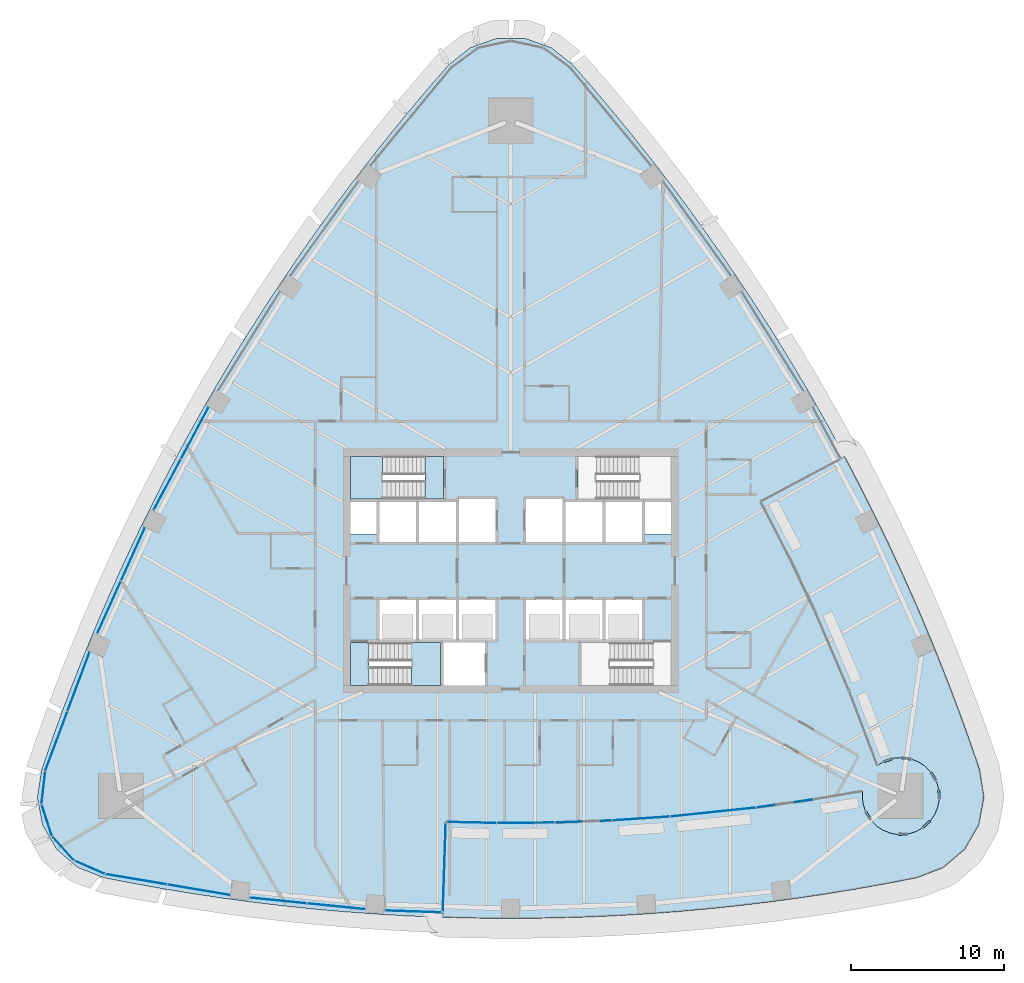
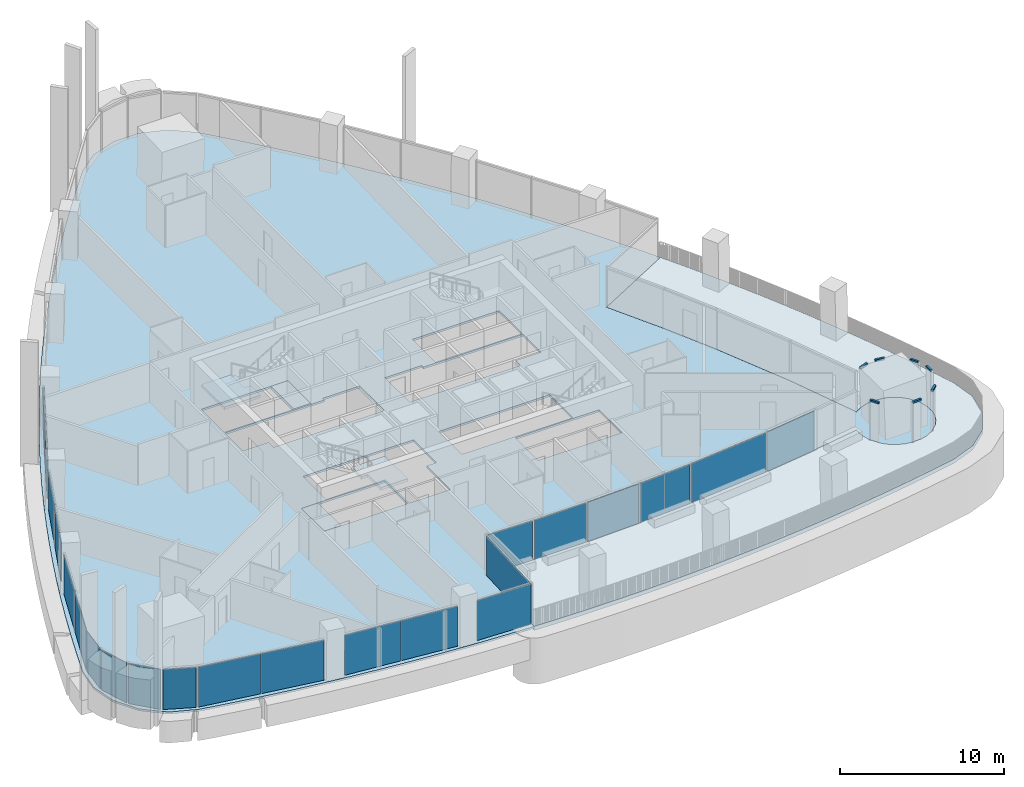
# One storey, part 8 of 22: 22 plates, 7 members, 6 slabs, 26 elements without a shape of their own.
"""IFC4 building model written with IfcOpenShell, lengths in metres."""

from ifc_helpers import new_model, si_unit, direction, frame, origin, origin_2d, place, context, subcontext, project, spatial, polyline, rectangle, outline, extrude, material, layer, layer_set, material_profile, profile_set, type_object, element, aggregate, save


model = new_model("IFC4")

# Units and contexts
model_context = context("Model", 3, precision=1e-05, world=origin(), true_north=direction((0.0, 1.0)))
body_context = subcontext(model_context, "Body", "Model", "MODEL_VIEW")
ifc_project = project(units=[si_unit("LENGTHUNIT", "METRE"), si_unit("AREAUNIT", "SQUARE_METRE"), si_unit("VOLUMEUNIT", "CUBIC_METRE"), si_unit("PLANEANGLEUNIT", "RADIAN"), si_unit("MASSUNIT", "GRAM", prefix="KILO")], contexts=[model_context])

# Site, building, storey
site_placement = place(None, origin())
site = spatial("IfcSite", under=ifc_project, at=site_placement, CompositionType="ELEMENT")
building_placement = place(site_placement, origin())
building = spatial("IfcBuilding", under=site, at=building_placement, Name="Sierra Prisma Convention Tower", CompositionType="ELEMENT")
storey_placement = place(building_placement, frame((0.0, 0.0, 103.5)))
storey = spatial("IfcBuildingStorey", under=building, at=storey_placement, Name="L22", CompositionType="ELEMENT", Elevation=103.5)

# Curtain wall, member
ifc_material_1 = material(Name="Aluminium and glass curtain wall", Category="aluminium")
ifc_layer_1 = layer(ifc_material_1, 0.179931640625)
ifc_layer_set_1 = layer_set([ifc_layer_1], Name="CW-6 Terrace recess curtain wall")
curtain_wall_type_1 = type_object("IfcCurtainWallType", Name="CW-6 Terrace recess curtain wall", PredefinedType="NOTDEFINED", material=ifc_layer_set_1)
curtain_wall_1_placement = place(storey_placement, origin())
curtain_wall_1 = element("IfcCurtainWall", 1, at=curtain_wall_1_placement, inside=storey, type_object=curtain_wall_type_1, Name="CW-6 R11 L22", PredefinedType="NOTDEFINED")
ifc_material_2 = material(Name="Aluminium 6063-T6 bronze anodised", Category="aluminium")
ifc_material_profile = material_profile(ifc_material_2, rectangle(XDim=0.139892578125, YDim=0.1201171875, at=origin_2d()), Name="ALU TRANSOM 120x140")
ifc_profile_set = profile_set([ifc_material_profile], Name="Aluminium 6063-T6 bronze anodised")
member_type = type_object("IfcMemberType", Name="CW transom bronze", PredefinedType="USERDEFINED", material=ifc_profile_set)
member_1_placement = place(storey_placement, frame((23.253173828125, -15.774169921875, 2.97998046875), z_axis=(0.513957065428, -0.857815909678, 0.0), x_axis=(0.857815909678, 0.513957065428, 0.0)))
member_1 = element("IfcMember", 2, at=member_1_placement, type_object=member_type, Name="CW-6 transom R11.1", ObjectType="TRANSOM", PredefinedType="USERDEFINED", context=body_context, shape_type="SweptSolid", body=[
    extrude(rectangle(XDim=0.139892578125, YDim=0.1201171875, at=origin_2d()), origin(), (0.0, 0.0, 1.0), 0.599853515625),
])
aggregate(curtain_wall_1, [member_1])

curtain_wall_2_placement = place(storey_placement, origin())
curtain_wall_2 = element("IfcCurtainWall", 3, at=curtain_wall_2_placement, inside=storey, type_object=curtain_wall_type_1, Name="CW-6 R16 L22", PredefinedType="NOTDEFINED")
member_2_placement = place(storey_placement, frame((25.369384765625, -17.255126953125, 2.97998046875), z_axis=(0.998786609431, 0.049247424507, 0.0), x_axis=(-0.049247424507, 0.998786609431, 0.0)))
member_2 = element("IfcMember", 4, at=member_2_placement, type_object=member_type, Name="CW-6 transom R16.1", ObjectType="TRANSOM", PredefinedType="USERDEFINED", context=body_context, shape_type="SweptSolid", body=[
    extrude(rectangle(XDim=0.139892578125, YDim=0.1201171875, at=origin_2d()), origin(), (0.0, 0.0, 1.0), 0.599853515625),
])
aggregate(curtain_wall_2, [member_2])

curtain_wall_3_placement = place(storey_placement, origin())
curtain_wall_3 = element("IfcCurtainWall", 5, at=curtain_wall_3_placement, inside=storey, type_object=curtain_wall_type_1, Name="CW-6 R19 L22", PredefinedType="NOTDEFINED")
member_3_placement = place(storey_placement, frame((26.999267578125, -16.798583984375, 2.97998046875), z_axis=(0.740860343979, 0.671659103057, 0.0), x_axis=(-0.671659103057, 0.740860343979, 0.0)))
member_3 = element("IfcMember", 6, at=member_3_placement, type_object=member_type, Name="CW-6 transom R19.1", ObjectType="TRANSOM", PredefinedType="USERDEFINED", context=body_context, shape_type="SweptSolid", body=[
    extrude(rectangle(XDim=0.139892578125, YDim=0.1201171875, at=origin_2d()), origin(), (0.0, 0.0, 1.0), 0.599853515625),
])
aggregate(curtain_wall_3, [member_3])

curtain_wall_4_placement = place(storey_placement, origin())
curtain_wall_4 = element("IfcCurtainWall", 7, at=curtain_wall_4_placement, inside=storey, type_object=curtain_wall_type_1, Name="CW-6 R23 L22", PredefinedType="NOTDEFINED")
member_4_placement = place(storey_placement, frame((28.05224609375, -14.926513671875, 2.97998046875), z_axis=(-0.049247424507, 0.998786609431, 0.0), x_axis=(-0.998786609431, -0.049247424507, 0.0)))
member_4 = element("IfcMember", 8, at=member_4_placement, type_object=member_type, Name="CW-6 transom R23.1", ObjectType="TRANSOM", PredefinedType="USERDEFINED", context=body_context, shape_type="SweptSolid", body=[
    extrude(rectangle(XDim=0.139892578125, YDim=0.1201171875, at=origin_2d()), origin(), (0.0, 0.0, 1.0), 0.599853515625),
])
aggregate(curtain_wall_4, [member_4])

curtain_wall_5_placement = place(storey_placement, origin())
curtain_wall_5 = element("IfcCurtainWall", 9, at=curtain_wall_5_placement, inside=storey, type_object=curtain_wall_type_1, Name="CW-6 R25 L22", PredefinedType="NOTDEFINED")
member_5_placement = place(storey_placement, frame((27.83984375, -13.724365234375, 2.97998046875), z_axis=(-0.513957065428, 0.857815909678, 0.0), x_axis=(-0.857815909678, -0.513957065428, 0.0)))
member_5 = element("IfcMember", 10, at=member_5_placement, type_object=member_type, Name="CW-6 transom R25.1", ObjectType="TRANSOM", PredefinedType="USERDEFINED", context=body_context, shape_type="SweptSolid", body=[
    extrude(rectangle(XDim=0.139892578125, YDim=0.1201171875, at=origin_2d()), origin(), (0.0, 0.0, 1.0), 0.599853515625),
])
aggregate(curtain_wall_5, [member_5])

curtain_wall_6_placement = place(storey_placement, origin())
curtain_wall_6 = element("IfcCurtainWall", 11, at=curtain_wall_6_placement, inside=storey, type_object=curtain_wall_type_1, Name="CW-6 R29 L22", PredefinedType="NOTDEFINED")
member_6_placement = place(storey_placement, frame((26.209228515625, -12.326171875, 2.97998046875), z_axis=(-0.989212199725, 0.146489671699, 0.0), x_axis=(-0.146489671699, -0.989212199725, 0.0)))
member_6 = element("IfcMember", 12, at=member_6_placement, type_object=member_type, Name="CW-6 transom R29.1", ObjectType="TRANSOM", PredefinedType="USERDEFINED", context=body_context, shape_type="SweptSolid", body=[
    extrude(rectangle(XDim=0.139892578125, YDim=0.1201171875, at=origin_2d()), origin(), (0.0, 0.0, 1.0), 0.60009765625),
])
aggregate(curtain_wall_6, [member_6])

curtain_wall_7_placement = place(storey_placement, origin())
curtain_wall_7 = element("IfcCurtainWall", 13, at=curtain_wall_7_placement, inside=storey, type_object=curtain_wall_type_1, Name="CW-6 R31 L22", PredefinedType="NOTDEFINED")
member_7_placement = place(storey_placement, frame((24.98876953125, -12.300048828125, 2.97998046875), z_axis=(-0.941539217345, -0.336903401885, 0.0), x_axis=(0.336903401885, -0.941539217345, 0.0)))
member_7 = element("IfcMember", 14, at=member_7_placement, type_object=member_type, Name="CW-6 transom R31.1", ObjectType="TRANSOM", PredefinedType="USERDEFINED", context=body_context, shape_type="SweptSolid", body=[
    extrude(rectangle(XDim=0.139892578125, YDim=0.1201171875, at=origin_2d()), origin(), (0.0, 0.0, 1.0), 0.60009765625),
])
aggregate(curtain_wall_7, [member_7])

# Curtain wall, plates
ifc_material_3 = material(Name="Aluminium and glass curtain wall", Category="aluminium")
ifc_layer_2 = layer(ifc_material_3, 0.179931640625)
ifc_layer_set_2 = layer_set([ifc_layer_2], Name="CW-1 Plain shaft curtain wall")
curtain_wall_type_2 = type_object("IfcCurtainWallType", Name="CW-1 Plain shaft curtain wall", PredefinedType="NOTDEFINED", material=ifc_layer_set_2)
curtain_wall_8_placement = place(storey_placement, origin())
curtain_wall_8 = element("IfcCurtainWall", 15, at=curtain_wall_8_placement, inside=storey, type_object=curtain_wall_type_2, Name="CW-1 NW4 L22", PredefinedType="NOTDEFINED")
ifc_material_4 = material(Name="Tinted glass bronze-grey IGU", Category="glass")
ifc_layer_3 = layer(ifc_material_4, 0.028076171875)
ifc_layer_set_3 = layer_set([ifc_layer_3], Name="CW-1 glass panel")
plate_type_1 = type_object("IfcPlateType", Name="CW-1 glass panel", PredefinedType="CURTAIN_PANEL", material=ifc_layer_set_3)
plate_1_placement = place(storey_placement, frame((-20.699462890625, 9.01513671875, 0.0), z_axis=(0.0, 0.0, 1.0), x_axis=(-0.470872125852, -0.882201474209, 0.0)))
plate_1 = element("IfcPlate", 16, at=plate_1_placement, type_object=plate_type_1, Name="CW-1 panel NW4.1", PredefinedType="CURTAIN_PANEL", context=body_context, shape_type="SweptSolid", body=[
    extrude(rectangle(XDim=3.74755859375, YDim=0.028076171875, at=origin_2d()), origin(), (0.0, 0.0, 1.0), 2.97998046875),
])
plate_2_placement = place(storey_placement, frame((-22.4970703125, 5.6474609375, 0.0), z_axis=(0.0, 0.0, 1.0), x_axis=(-0.470872125852, -0.882201474209, 0.0)))
plate_2 = element("IfcPlate", 17, at=plate_2_placement, type_object=plate_type_1, Name="CW-1 panel NW4.2", PredefinedType="CURTAIN_PANEL", context=body_context, shape_type="SweptSolid", body=[
    extrude(rectangle(XDim=3.74755859375, YDim=0.028076171875, at=origin_2d()), origin(), (0.0, 0.0, 1.0), 2.97998046875),
])
aggregate(curtain_wall_8, [plate_1, plate_2])

curtain_wall_9_placement = place(storey_placement, origin())
curtain_wall_9 = element("IfcCurtainWall", 18, at=curtain_wall_9_placement, inside=storey, type_object=curtain_wall_type_2, Name="CW-1 NW5 L22", PredefinedType="NOTDEFINED")
plate_3_placement = place(storey_placement, frame((-24.7431640625, 1.080322265625, 0.0), z_axis=(0.0, 0.0, 1.0), x_axis=(-0.411081149591, -0.911598754086, 0.0)))
plate_3 = element("IfcPlate", 19, at=plate_3_placement, type_object=plate_type_1, Name="CW-1 panel NW5.1", PredefinedType="CURTAIN_PANEL", context=body_context, shape_type="SweptSolid", body=[
    extrude(rectangle(XDim=3.7314453125, YDim=0.028076171875, at=origin_2d()), origin(), (0.0, 0.0, 1.0), 2.97998046875),
])
plate_4_placement = place(storey_placement, frame((-26.305908203125, -2.384765625, 0.0), z_axis=(0.0, 0.0, 1.0), x_axis=(-0.411081149591, -0.911598754086, 0.0)))
plate_4 = element("IfcPlate", 20, at=plate_4_placement, type_object=plate_type_1, Name="CW-1 panel NW5.2", PredefinedType="CURTAIN_PANEL", context=body_context, shape_type="SweptSolid", body=[
    extrude(rectangle(XDim=3.7314453125, YDim=0.028076171875, at=origin_2d()), origin(), (0.0, 0.0, 1.0), 2.97998046875),
])
aggregate(curtain_wall_9, [plate_3, plate_4])

curtain_wall_10_placement = place(storey_placement, origin())
curtain_wall_10 = element("IfcCurtainWall", 21, at=curtain_wall_10_placement, inside=storey, type_object=curtain_wall_type_2, Name="CW-1 NW6 L22", PredefinedType="NOTDEFINED")
plate_5_placement = place(storey_placement, frame((-28.309326171875, -7.264404296875, 0.0), z_axis=(0.0, 0.0, 1.0), x_axis=(-0.349465317961, -0.936949300412, 0.0)))
plate_5 = element("IfcPlate", 22, at=plate_5_placement, type_object=plate_type_1, Name="CW-1 panel NW6.1", PredefinedType="CURTAIN_PANEL", context=body_context, shape_type="SweptSolid", body=[
    extrude(rectangle(XDim=4.053955078125, YDim=0.028076171875, at=origin_2d()), origin(), (0.0, 0.0, 1.0), 2.97998046875),
])
plate_6_placement = place(storey_placement, frame((-29.75048828125, -11.12841796875, 0.0), z_axis=(0.0, 0.0, 1.0), x_axis=(-0.349465317961, -0.936949300412, 0.0)))
plate_6 = element("IfcPlate", 23, at=plate_6_placement, type_object=plate_type_1, Name="CW-1 panel NW6.2", PredefinedType="CURTAIN_PANEL", context=body_context, shape_type="SweptSolid", body=[
    extrude(rectangle(XDim=4.053955078125, YDim=0.028076171875, at=origin_2d()), origin(), (0.0, 0.0, 1.0), 2.97998046875),
])
aggregate(curtain_wall_10, [plate_5, plate_6])

# Curtain wall, plate
curtain_wall_11_placement = place(storey_placement, origin())
curtain_wall_11 = element("IfcCurtainWall", 24, at=curtain_wall_11_placement, inside=storey, type_object=curtain_wall_type_2, Name="CW-1 SW1 L22", PredefinedType="NOTDEFINED")
plate_7_placement = place(storey_placement, frame((-30.60546875, -14.180908203125, 0.0), z_axis=(0.0, 0.0, 1.0), x_axis=(-0.111627694925, -0.993750098227, 0.0)))
plate_7 = element("IfcPlate", 25, at=plate_7_placement, type_object=plate_type_1, Name="CW-1 panel SW1.1", PredefinedType="CURTAIN_PANEL", context=body_context, shape_type="SweptSolid", body=[
    extrude(rectangle(XDim=2.049560546875, YDim=0.028076171875, at=origin_2d()), origin(), (0.0, 0.0, 1.0), 2.97998046875),
])
aggregate(curtain_wall_11, [plate_7])

curtain_wall_12_placement = place(storey_placement, origin())
curtain_wall_12 = element("IfcCurtainWall", 26, at=curtain_wall_12_placement, inside=storey, type_object=curtain_wall_type_2, Name="CW-1 SW2 L22", PredefinedType="NOTDEFINED")
plate_8_placement = place(storey_placement, frame((-30.391845703125, -16.310791015625, 0.0), z_axis=(0.0, 0.0, 1.0), x_axis=(0.306752265187, -0.951789392567, 0.0)))
plate_8 = element("IfcPlate", 27, at=plate_8_placement, type_object=plate_type_1, Name="CW-1 panel SW2.1", PredefinedType="CURTAIN_PANEL", context=body_context, shape_type="SweptSolid", body=[
    extrude(rectangle(XDim=2.049560546875, YDim=0.028076171875, at=origin_2d()), origin(), (0.0, 0.0, 1.0), 2.97998046875),
])
aggregate(curtain_wall_12, [plate_8])

curtain_wall_13_placement = place(storey_placement, origin())
curtain_wall_13 = element("IfcCurtainWall", 28, at=curtain_wall_13_placement, inside=storey, type_object=curtain_wall_type_2, Name="CW-1 SW3 L22", PredefinedType="NOTDEFINED")
plate_9_placement = place(storey_placement, frame((-29.321533203125, -18.16455078125, 0.0), z_axis=(0.0, 0.0, 1.0), x_axis=(0.670897660422, -0.741549950604, 0.0)))
plate_9 = element("IfcPlate", 29, at=plate_9_placement, type_object=plate_type_1, Name="CW-1 panel SW3.1", PredefinedType="CURTAIN_PANEL", context=body_context, shape_type="SweptSolid", body=[
    extrude(rectangle(XDim=2.049560546875, YDim=0.028076171875, at=origin_2d()), origin(), (0.0, 0.0, 1.0), 2.97998046875),
])
aggregate(curtain_wall_13, [plate_9])

curtain_wall_14_placement = place(storey_placement, origin())
curtain_wall_14 = element("IfcCurtainWall", 30, at=curtain_wall_14_placement, inside=storey, type_object=curtain_wall_type_2, Name="CW-1 SW4 L22", PredefinedType="NOTDEFINED")
plate_10_placement = place(storey_placement, frame((-27.583740234375, -19.41455078125, 0.0), z_axis=(0.0, 0.0, 1.0), x_axis=(0.91642667754, -0.400202629542, 0.0)))
plate_10 = element("IfcPlate", 31, at=plate_10_placement, type_object=plate_type_1, Name="CW-1 panel SW4.1", PredefinedType="CURTAIN_PANEL", context=body_context, shape_type="SweptSolid", body=[
    extrude(rectangle(XDim=2.049560546875, YDim=0.028076171875, at=origin_2d()), origin(), (0.0, 0.0, 1.0), 2.97998046875),
])
aggregate(curtain_wall_14, [plate_10])

# Curtain wall, plates
curtain_wall_15_placement = place(storey_placement, origin())
curtain_wall_15 = element("IfcCurtainWall", 32, at=curtain_wall_15_placement, inside=storey, type_object=curtain_wall_type_2, Name="CW-1 S1 L22", PredefinedType="NOTDEFINED")
plate_11_placement = place(storey_placement, frame((-24.5126953125, -20.200439453125, 0.0), z_axis=(0.0, 0.0, 1.0), x_axis=(0.986154555195, -0.16582880711, 0.0)))
plate_11 = element("IfcPlate", 33, at=plate_11_placement, type_object=plate_type_1, Name="CW-1 panel S1.1", PredefinedType="CURTAIN_PANEL", context=body_context, shape_type="SweptSolid", body=[
    extrude(rectangle(XDim=4.053955078125, YDim=0.028076171875, at=origin_2d()), origin(), (0.0, 0.0, 1.0), 2.97998046875),
])
plate_12_placement = place(storey_placement, frame((-20.44580078125, -20.88427734375, 0.0), z_axis=(0.0, 0.0, 1.0), x_axis=(0.986154555195, -0.16582880711, 0.0)))
plate_12 = element("IfcPlate", 34, at=plate_12_placement, type_object=plate_type_1, Name="CW-1 panel S1.2", PredefinedType="CURTAIN_PANEL", context=body_context, shape_type="SweptSolid", body=[
    extrude(rectangle(XDim=4.053955078125, YDim=0.028076171875, at=origin_2d()), origin(), (0.0, 0.0, 1.0), 2.97998046875),
])
aggregate(curtain_wall_15, [plate_11, plate_12])

curtain_wall_16_placement = place(storey_placement, origin())
curtain_wall_16 = element("IfcCurtainWall", 35, at=curtain_wall_16_placement, inside=storey, type_object=curtain_wall_type_2, Name="CW-1 S2 L22", PredefinedType="NOTDEFINED")
plate_13_placement = place(storey_placement, frame((-15.21826171875, -21.589111328125, 0.0), z_axis=(0.0, 0.0, 1.0), x_axis=(0.995008253892, -0.09979265848, 0.0)))
plate_13 = element("IfcPlate", 36, at=plate_13_placement, type_object=plate_type_1, Name="CW-1 panel S2.1", PredefinedType="CURTAIN_PANEL", context=body_context, shape_type="SweptSolid", body=[
    extrude(rectangle(XDim=3.7314453125, YDim=0.028076171875, at=origin_2d()), origin(), (0.0, 0.0, 1.0), 2.97998046875),
])
plate_14_placement = place(storey_placement, frame((-11.43603515625, -21.968505859375, 0.0), z_axis=(0.0, 0.0, 1.0), x_axis=(0.995008253892, -0.09979265848, 0.0)))
plate_14 = element("IfcPlate", 37, at=plate_14_placement, type_object=plate_type_1, Name="CW-1 panel S2.2", PredefinedType="CURTAIN_PANEL", context=body_context, shape_type="SweptSolid", body=[
    extrude(rectangle(XDim=3.7314453125, YDim=0.028076171875, at=origin_2d()), origin(), (0.0, 0.0, 1.0), 2.97998046875),
])
aggregate(curtain_wall_16, [plate_13, plate_14])

# Curtain wall, plate
curtain_wall_17_placement = place(storey_placement, origin())
curtain_wall_17 = element("IfcCurtainWall", 38, at=curtain_wall_17_placement, inside=storey, type_object=curtain_wall_type_2, Name="CW-1 S3 L22", PredefinedType="NOTDEFINED")
plate_15_placement = place(storey_placement, frame((-6.375244140625, -22.30615234375, 0.0), z_axis=(0.0, 0.0, 1.0), x_axis=(0.999444950847, -0.033313514183, 0.0)))
plate_15 = element("IfcPlate", 39, at=plate_15_placement, type_object=plate_type_1, Name="CW-1 panel S3.1", PredefinedType="CURTAIN_PANEL", context=body_context, shape_type="SweptSolid", body=[
    extrude(rectangle(XDim=3.71240234375, YDim=0.028076171875, at=origin_2d()), origin(), (0.0, 0.0, 1.0), 2.97998046875),
])
aggregate(curtain_wall_17, [plate_15])

curtain_wall_18_placement = place(storey_placement, origin())
curtain_wall_18 = element("IfcCurtainWall", 40, at=curtain_wall_18_placement, inside=storey, type_object=curtain_wall_type_1, Name="CW-6 R1 L22", PredefinedType="NOTDEFINED")
ifc_material_5 = material(Name="Tinted glass bronze-grey IGU", Category="glass")
ifc_layer_4 = layer(ifc_material_5, 0.028076171875)
ifc_layer_set_4 = layer_set([ifc_layer_4], Name="CW-6 glass panel")
plate_type_2 = type_object("IfcPlateType", Name="CW-6 glass panel", PredefinedType="CURTAIN_PANEL", material=ifc_layer_set_4)
plate_16_placement = place(storey_placement, frame((-2.599609375, -16.478271484375, 0.0), z_axis=(0.0, 0.0, 1.0), x_axis=(0.999753298808, -0.022211292695, 0.0)))
plate_16 = element("IfcPlate", 41, at=plate_16_placement, type_object=plate_type_2, Name="CW-6 panel R1.1", PredefinedType="CURTAIN_PANEL", context=body_context, shape_type="SweptSolid", body=[
    extrude(rectangle(XDim=3.16650390625, YDim=0.028076171875, at=origin_2d()), origin(), (0.0, 0.0, 1.0), 2.919921875),
])
aggregate(curtain_wall_18, [plate_16])

curtain_wall_19_placement = place(storey_placement, origin())
curtain_wall_19 = element("IfcCurtainWall", 42, at=curtain_wall_19_placement, inside=storey, type_object=curtain_wall_type_1, Name="CW-6 R2 L22", PredefinedType="NOTDEFINED")
plate_17_placement = place(storey_placement, frame((0.946533203125, -16.5009765625, 0.0), z_axis=(0.0, 0.0, 1.0), x_axis=(0.999972587755, 0.007404305468, 0.0)))
plate_17 = element("IfcPlate", 43, at=plate_17_placement, type_object=plate_type_2, Name="CW-6 panel R2.1", PredefinedType="CURTAIN_PANEL", context=body_context, shape_type="SweptSolid", body=[
    extrude(rectangle(XDim=3.646484375, YDim=0.028076171875, at=origin_2d()), origin(), (0.0, 0.0, 1.0), 2.919921875),
])
aggregate(curtain_wall_19, [plate_17])

curtain_wall_20_placement = place(storey_placement, origin())
curtain_wall_20 = element("IfcCurtainWall", 44, at=curtain_wall_20_placement, inside=storey, type_object=curtain_wall_type_1, Name="CW-6 R3 L22", PredefinedType="NOTDEFINED")
plate_18_placement = place(storey_placement, frame((4.7314453125, -16.416748046875, 0.0), z_axis=(0.0, 0.0, 1.0), x_axis=(0.999314769003, 0.037013409097, 0.0)))
plate_18 = element("IfcPlate", 45, at=plate_18_placement, type_object=plate_type_2, Name="CW-6 panel R3.1", PredefinedType="CURTAIN_PANEL", context=body_context, shape_type="SweptSolid", body=[
    extrude(rectangle(XDim=3.646484375, YDim=0.028076171875, at=origin_2d()), origin(), (0.0, 0.0, 1.0), 2.919921875),
])
aggregate(curtain_wall_20, [plate_18])

curtain_wall_21_placement = place(storey_placement, origin())
curtain_wall_21 = element("IfcCurtainWall", 46, at=curtain_wall_21_placement, inside=storey, type_object=curtain_wall_type_1, Name="CW-6 R4 L22", PredefinedType="NOTDEFINED")
plate_19_placement = place(storey_placement, frame((8.512451171875, -16.220703125, 0.0), z_axis=(0.0, 0.0, 1.0), x_axis=(0.997780419547, 0.066590047072, 0.0)))
plate_19 = element("IfcPlate", 47, at=plate_19_placement, type_object=plate_type_2, Name="CW-6 panel R4.1", PredefinedType="CURTAIN_PANEL", context=body_context, shape_type="SweptSolid", body=[
    extrude(rectangle(XDim=3.646484375, YDim=0.028076171875, at=origin_2d()), origin(), (0.0, 0.0, 1.0), 2.919921875),
])
aggregate(curtain_wall_21, [plate_19])

curtain_wall_22_placement = place(storey_placement, origin())
curtain_wall_22 = element("IfcCurtainWall", 48, at=curtain_wall_22_placement, inside=storey, type_object=curtain_wall_type_1, Name="CW-6 R5 L22", PredefinedType="NOTDEFINED")
plate_20_placement = place(storey_placement, frame((13.225830078125, -15.80078125, 0.0), z_axis=(0.0, 0.0, 1.0), x_axis=(0.994631984821, 0.103475672365, 0.0)))
plate_20 = element("IfcPlate", 49, at=plate_20_placement, type_object=plate_type_2, Name="CW-6 panel R5.1", PredefinedType="CURTAIN_PANEL", context=body_context, shape_type="SweptSolid", body=[
    extrude(rectangle(XDim=5.539306640625, YDim=0.028076171875, at=origin_2d()), origin(), (0.0, 0.0, 1.0), 2.919921875),
])
aggregate(curtain_wall_22, [plate_20])

curtain_wall_23_placement = place(storey_placement, origin())
curtain_wall_23 = element("IfcCurtainWall", 50, at=curtain_wall_23_placement, inside=storey, type_object=curtain_wall_type_1, Name="CW-6 R6 L22", PredefinedType="NOTDEFINED")
plate_21_placement = place(storey_placement, frame((17.9248046875, -15.241455078125, 0.0), z_axis=(0.0, 0.0, 1.0), x_axis=(0.990120444764, 0.140219488164, 0.0)))
plate_21 = element("IfcPlate", 51, at=plate_21_placement, type_object=plate_type_2, Name="CW-6 panel R6.1", PredefinedType="CURTAIN_PANEL", context=body_context, shape_type="SweptSolid", body=[
    extrude(rectangle(XDim=3.646484375, YDim=0.028076171875, at=origin_2d()), origin(), (0.0, 0.0, 1.0), 2.919921875),
])
aggregate(curtain_wall_23, [plate_21])

curtain_wall_24_placement = place(storey_placement, origin())
curtain_wall_24 = element("IfcCurtainWall", 52, at=curtain_wall_24_placement, inside=storey, type_object=curtain_wall_type_1, Name="CW-6 RT1 L22", PredefinedType="NOTDEFINED")
plate_22_placement = place(storey_placement, frame((-4.351318359375, -19.40576171875, 0.0), z_axis=(0.0, 0.0, 1.0), x_axis=(0.033313514183, 0.999444950847, 0.0)))
plate_22 = element("IfcPlate", 53, at=plate_22_placement, type_object=plate_type_2, Name="CW-6 panel RT1.1", PredefinedType="CURTAIN_PANEL", context=body_context, shape_type="SweptSolid", body=[
    extrude(rectangle(XDim=5.7919921875, YDim=0.028076171875, at=origin_2d()), origin(), (0.0, 0.0, 1.0), 2.919921875),
])
aggregate(curtain_wall_24, [plate_22])

# Slab
ifc_material_6 = material(Name="Concrete C35/45", Category="concrete")
ifc_layer_5 = layer(ifc_material_6, 0.14990234375)
ifc_layer_set_5 = layer_set([ifc_layer_5], Name="Composite floor slab 150")
slab_type_1 = type_object("IfcSlabType", Name="Composite floor slab 150", PredefinedType="FLOOR", material=ifc_layer_set_5)
slab_1_placement = place(storey_placement, frame((0.0, 0.0, -0.14990234375)))
element("IfcSlab", 54, at=slab_1_placement, inside=storey, type_object=slab_type_1, Name="Floor slab L22 floor", PredefinedType="FLOOR", context=body_context, shape_type="SweptSolid", body=[
    extrude(outline(polyline([(-4.96337890625, -22.6767578125), (-4.45947265625, -22.691650390625), (-4.25244140625, -16.44140625), (-0.946533203125, -16.514892578125), (2.839599609375, -16.48681640625), (6.62353515625, -16.3466796875), (10.4013671875, -16.094482421875), (16.05029296875, -15.5068359375), (19.799072265625, -14.97607421875), (23.04931640625, -14.420654296875), (23.025146484375, -14.749267578125), (23.07373046875, -15.2412109375), (23.217041015625, -15.714111328125), (23.597412109375, -16.348876953125), (23.947021484375, -16.6982421875), (24.35791015625, -16.972900390625), (24.814697265625, -17.162109375), (25.29931640625, -17.258544921875), (26.038330078125, -17.22216796875), (26.511474609375, -17.07861328125), (26.947265625, -16.845703125), (27.49560546875, -16.348876953125), (27.77001953125, -15.937744140625), (27.959228515625, -15.481201171875), (28.0556640625, -14.996337890625), (28.019287109375, -14.25732421875), (27.8759765625, -13.784423828125), (27.49560546875, -13.149658203125), (27.14599609375, -12.80029296875), (26.735107421875, -12.525634765625), (26.2783203125, -12.33642578125), (25.546630859375, -12.22802734375), (25.0546875, -12.2763671875), (24.35791015625, -12.525634765625), (24.013427734375, -12.7509765625), (22.1748046875, -7.897216796875), (19.9365234375, -2.677734375), (18.316162109375, 0.74462890625), (16.364990234375, 4.5380859375), (21.88134765625, 7.483642578125), (21.1787109375, 8.788330078125), (20.21142578125, 10.5224609375), (19.218505859375, 12.242431640625), (18.2001953125, 13.947265625), (17.156982421875, 15.63671875), (16.088623046875, 17.310791015625), (14.99560546875, 18.96875), (13.878173828125, 20.6103515625), (12.736572265625, 22.235107421875), (11.571044921875, 23.8427734375), (10.3818359375, 25.433349609375), (9.169189453125, 27.005859375), (7.93359375, 28.560302734375), (6.6748046875, 30.09619140625), (5.3935546875, 31.61328125), (4.090087890625, 33.111328125), (2.65625, 34.265625), (0.92041015625, 34.87744140625), (-0.92041015625, 34.87744140625), (-2.65625, 34.265625), (-4.090087890625, 33.111328125), (-5.3935546875, 31.61328125), (-6.6748046875, 30.09619140625), (-7.93359375, 28.560302734375), (-9.169189453125, 27.005859375), (-10.3818359375, 25.433349609375), (-11.571044921875, 23.8427734375), (-12.736572265625, 22.235107421875), (-13.878173828125, 20.6103515625), (-14.99560546875, 18.96875), (-16.088623046875, 17.310791015625), (-17.156982421875, 15.63671875), (-18.2001953125, 13.947265625), (-19.218505859375, 12.242431640625), (-20.21142578125, 10.5224609375), (-21.1787109375, 8.788330078125), (-22.120361328125, 7.039794921875), (-23.035888671875, 5.27783203125), (-23.925048828125, 3.502197265625), (-24.7880859375, 1.7138671875), (-25.62451171875, -0.08740234375), (-26.43408203125, -1.900634765625), (-27.216796875, -3.7255859375), (-27.972412109375, -5.56201171875), (-28.70068359375, -7.409423828125), (-29.401611328125, -9.267578125), (-30.07470703125, -11.1357421875), (-30.72021484375, -13.013671875), (-31.0029296875, -14.83251953125), (-30.6650390625, -16.641845703125), (-29.74462890625, -18.23583984375), (-28.3466796875, -19.43310546875), (-26.630126953125, -20.09765625), (-24.68115234375, -20.477783203125), (-22.7265625, -20.82861328125), (-20.76708984375, -21.150634765625), (-18.802978515625, -21.44384765625), (-16.8349609375, -21.70751953125), (-14.863037109375, -21.9423828125), (-12.887939453125, -22.147705078125), (-10.909912109375, -22.323974609375), (-8.929443359375, -22.470947265625), (-6.947265625, -22.58837890625), (-4.96337890625, -22.6767578125)]), holes=[polyline([(-4.60009765625, -7.5), (-10.5, -7.5), (-10.5, -4.699951171875), (-4.60009765625, -4.699951171875), (-4.60009765625, -7.5)]), polyline([(-8.699951171875, -4.60009765625), (-8.699951171875, -1.800048828125), (-6.10009765625, -1.800048828125), (-3.5, -1.800048828125), (-0.89990234375, -1.800048828125), (-0.89990234375, -4.60009765625), (-1.60009765625, -4.60009765625), (-1.60009765625, -7.5), (-4.5, -7.5), (-4.5, -4.60009765625), (-6.10009765625, -4.60009765625), (-8.699951171875, -4.60009765625)]), polyline([(-10.5, 4.60009765625), (-8.699951171875, 4.60009765625), (-6.10009765625, 4.60009765625), (-3.5, 4.60009765625), (-3.5, 4.800048828125), (-0.89990234375, 4.800048828125), (-0.89990234375, 1.800048828125), (-3.5, 1.800048828125), (-6.10009765625, 1.800048828125), (-8.699951171875, 1.800048828125), (-8.699951171875, 2.39990234375), (-10.5, 2.39990234375), (-10.5, 4.60009765625)]), polyline([(-4.39990234375, 4.699951171875), (-10.5, 4.699951171875), (-10.5, 7.5), (-4.39990234375, 7.5), (-4.39990234375, 4.699951171875)]), polyline([(10.5, -7.5), (4.60009765625, -7.5), (4.60009765625, -4.699951171875), (10.5, -4.699951171875), (10.5, -7.5)]), polyline([(6.10009765625, -1.800048828125), (8.699951171875, -1.800048828125), (8.699951171875, -4.60009765625), (6.10009765625, -4.60009765625), (3.5, -4.60009765625), (0.89990234375, -4.60009765625), (0.89990234375, -1.800048828125), (3.5, -1.800048828125), (6.10009765625, -1.800048828125)]), polyline([(10.5, 4.60009765625), (10.5, 2.39990234375), (8.699951171875, 2.39990234375), (8.699951171875, 1.800048828125), (6.10009765625, 1.800048828125), (3.5, 1.800048828125), (0.89990234375, 1.800048828125), (0.89990234375, 4.800048828125), (3.5, 4.800048828125), (3.5, 4.60009765625), (6.10009765625, 4.60009765625), (8.699951171875, 4.60009765625), (10.5, 4.60009765625)]), polyline([(4.39990234375, 4.699951171875), (4.39990234375, 7.5), (10.5, 7.5), (10.5, 4.699951171875), (4.39990234375, 4.699951171875)])]), origin(), (0.0, 0.0, 1.0), 0.14990234375),
])

# Stair, slab
ifc_material_7 = material(Name="Concrete C30/37", Category="concrete")
stair_type = type_object("IfcStairType", Name="Stair dog-leg 1200 RC", PredefinedType="HALF_TURN_STAIR", material=ifc_material_7)
stair_1_placement = place(storey_placement, origin())
stair_1 = element("IfcStair", 55, at=stair_1_placement, inside=storey, type_object=stair_type, Name="L22 S1", PredefinedType="HALF_TURN_STAIR")
ifc_material_8 = material(Name="Concrete C35/45", Category="concrete")
ifc_layer_6 = layer(ifc_material_8, 0.199951171875)
ifc_layer_set_6 = layer_set([ifc_layer_6], Name="Stair landing slab")
slab_type_2 = type_object("IfcSlabType", Name="Stair landing slab", PredefinedType="LANDING", material=ifc_layer_set_6)
slab_2_placement = place(storey_placement, frame((0.0, 0.0, 1.64990234375)))
slab_2 = element("IfcSlab", 56, at=slab_2_placement, type_object=slab_type_2, Name="S1 landing 1", PredefinedType="LANDING", context=body_context, shape_type="SweptSolid", body=[
    extrude(outline(polyline([(-4.60009765625, -4.699951171875), (-4.60009765625, -7.5), (-6.501953125, -7.5), (-6.501953125, -5.89990234375), (-6.949951171875, -5.89990234375), (-6.949951171875, -4.699951171875), (-4.60009765625, -4.699951171875)])), origin(), (0.0, 0.0, 1.0), 0.2001953125),
])
aggregate(stair_1, [slab_2])

# Slab
slab_3_placement = place(storey_placement, frame((0.0, 0.0, -0.199951171875)))
element("IfcSlab", 57, at=slab_3_placement, inside=storey, type_object=slab_type_2, Name="S1 floor landing L22", PredefinedType="LANDING", context=body_context, shape_type="SweptSolid", body=[
    extrude(outline(polyline([(-10.5, -7.5), (-9.298095703125, -7.5), (-9.298095703125, -4.699951171875), (-10.5, -4.699951171875), (-10.5, -7.5)])), origin(), (0.0, 0.0, 1.0), 0.199951171875),
])

# Stair, slab
stair_2_placement = place(storey_placement, origin())
stair_2 = element("IfcStair", 58, at=stair_2_placement, inside=storey, type_object=stair_type, Name="L22 S3", PredefinedType="HALF_TURN_STAIR")
slab_4_placement = place(storey_placement, frame((0.0, 0.0, 1.64990234375)))
slab_4 = element("IfcSlab", 59, at=slab_4_placement, type_object=slab_type_2, Name="S3 landing 1", PredefinedType="LANDING", context=body_context, shape_type="SweptSolid", body=[
    extrude(outline(polyline([(-7.949951171875, 5.89990234375), (-7.949951171875, 4.699951171875), (-10.5, 4.699951171875), (-10.5, 7.5), (-8.39794921875, 7.5), (-8.39794921875, 5.89990234375), (-7.949951171875, 5.89990234375)])), origin(), (0.0, 0.0, 1.0), 0.2001953125),
])
aggregate(stair_2, [slab_4])

# Slabs
slab_5_placement = place(storey_placement, frame((0.0, 0.0, -0.199951171875)))
element("IfcSlab", 60, at=slab_5_placement, inside=storey, type_object=slab_type_2, Name="S3 floor landing L22", PredefinedType="LANDING", context=body_context, shape_type="SweptSolid", body=[
    extrude(outline(polyline([(-4.39990234375, 7.5), (-5.60205078125, 7.5), (-5.60205078125, 4.699951171875), (-4.39990234375, 4.699951171875), (-4.39990234375, 7.5)])), origin(), (0.0, 0.0, 1.0), 0.199951171875),
])
ifc_material_9 = material(Name="Concrete C50/60", Category="concrete")
ifc_layer_7 = layer(ifc_material_9, 0.300048828125)
ifc_layer_set_7 = layer_set([ifc_layer_7], Name="Terrace slab")
slab_type_3 = type_object("IfcSlabType", Name="Terrace slab", PredefinedType="FLOOR", material=ifc_layer_set_7)
slab_6_placement = place(storey_placement, frame((0.0, 0.0, -0.300048828125)))
element("IfcSlab", 61, at=slab_6_placement, inside=storey, type_object=slab_type_3, Name="Terrace slab L22", PredefinedType="FLOOR", context=body_context, shape_type="SweptSolid", body=[
    extrude(outline(polyline([(-4.45947265625, -22.691650390625), (-2.978515625, -22.735595703125), (-0.992919921875, -22.764892578125), (0.992919921875, -22.764892578125), (2.978515625, -22.735595703125), (4.96337890625, -22.6767578125), (6.947265625, -22.58837890625), (8.929443359375, -22.470947265625), (10.909912109375, -22.323974609375), (12.887939453125, -22.147705078125), (14.863037109375, -21.9423828125), (16.8349609375, -21.70751953125), (18.802978515625, -21.44384765625), (20.76708984375, -21.150634765625), (22.7265625, -20.82861328125), (24.68115234375, -20.477783203125), (26.630126953125, -20.09765625), (28.3466796875, -19.43310546875), (29.74462890625, -18.23583984375), (30.6650390625, -16.641845703125), (31.0029296875, -14.83251953125), (30.72021484375, -13.013671875), (30.07470703125, -11.1357421875), (29.401611328125, -9.267578125), (28.70068359375, -7.409423828125), (27.972412109375, -5.56201171875), (27.216796875, -3.7255859375), (26.43408203125, -1.900634765625), (25.62451171875, -0.08740234375), (24.7880859375, 1.7138671875), (23.925048828125, 3.502197265625), (23.035888671875, 5.27783203125), (22.120361328125, 7.039794921875), (21.88134765625, 7.483642578125), (16.364990234375, 4.5380859375), (18.316162109375, 0.74462890625), (19.9365234375, -2.677734375), (22.1748046875, -7.897216796875), (24.013427734375, -12.7509765625), (24.35791015625, -12.525634765625), (25.0546875, -12.2763671875), (25.546630859375, -12.22802734375), (26.2783203125, -12.33642578125), (26.735107421875, -12.525634765625), (27.14599609375, -12.80029296875), (27.49560546875, -13.149658203125), (27.8759765625, -13.784423828125), (28.019287109375, -14.25732421875), (28.0556640625, -14.996337890625), (27.959228515625, -15.481201171875), (27.77001953125, -15.937744140625), (27.49560546875, -16.348876953125), (26.947265625, -16.845703125), (26.511474609375, -17.07861328125), (26.038330078125, -17.22216796875), (25.29931640625, -17.258544921875), (24.814697265625, -17.162109375), (24.35791015625, -16.972900390625), (23.947021484375, -16.6982421875), (23.597412109375, -16.348876953125), (23.217041015625, -15.714111328125), (23.07373046875, -15.2412109375), (23.025146484375, -14.749267578125), (23.04931640625, -14.420654296875), (19.799072265625, -14.97607421875), (16.05029296875, -15.5068359375), (10.4013671875, -16.094482421875), (6.62353515625, -16.3466796875), (2.839599609375, -16.48681640625), (-0.946533203125, -16.514892578125), (-4.25244140625, -16.44140625), (-4.45947265625, -22.691650390625)])), origin(), (0.0, 0.0, 1.0), 0.300048828125),
])

save(model, "model.ifc")
